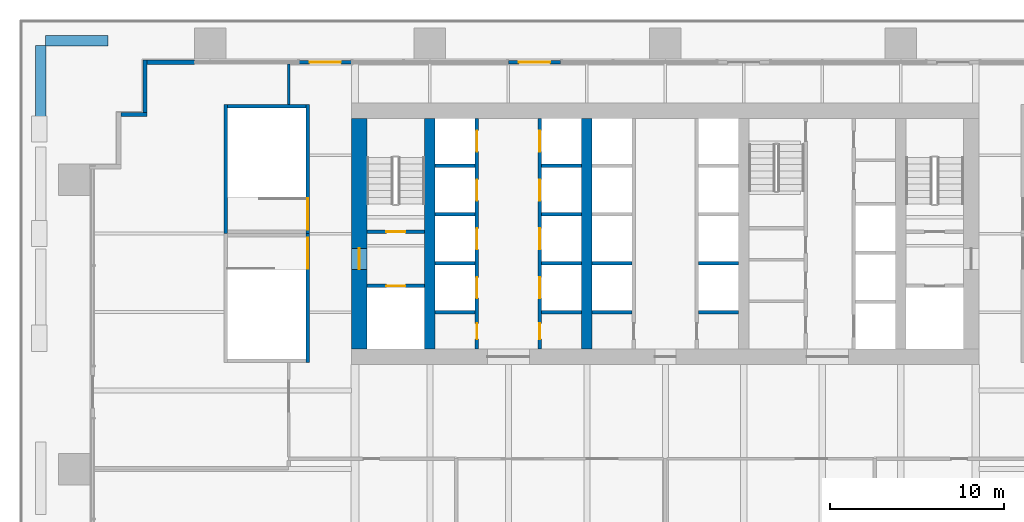
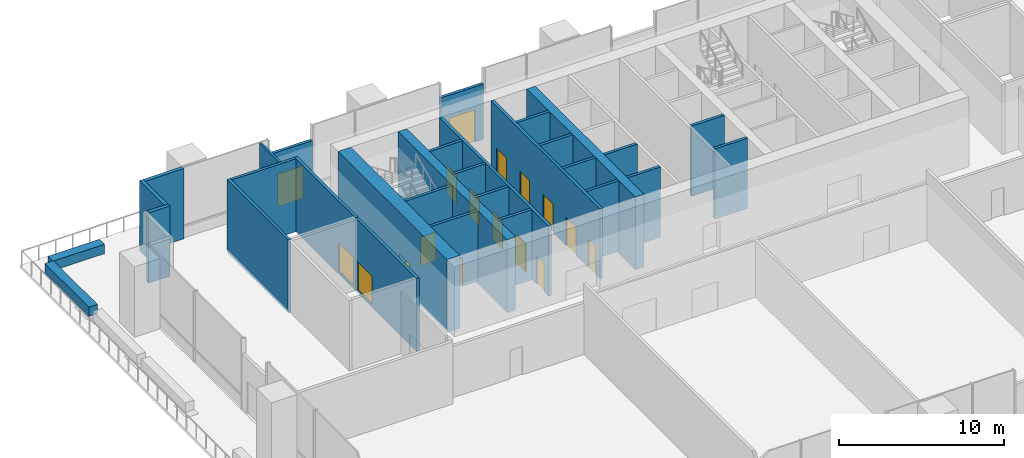
# One storey, part 9 of 16: 31 walls, 17 doors, 17 openings.
"""IFC4 building model written with IfcOpenShell, lengths in metres."""

from ifc_helpers import new_model, si_unit, direction, frame, frame_2d, origin, place, context, subcontext, project, spatial, rectangle, extrude, material, layer, layer_set, type_object, element, fill, save


model = new_model("IFC4")

# Units and contexts
model_context = context("Model", 3, precision=1e-05, world=origin(), true_north=direction((0.0, 1.0)))
body_context = subcontext(model_context, "Body", "Model", "MODEL_VIEW")
ifc_project = project(units=[si_unit("LENGTHUNIT", "METRE"), si_unit("AREAUNIT", "SQUARE_METRE"), si_unit("VOLUMEUNIT", "CUBIC_METRE"), si_unit("PLANEANGLEUNIT", "RADIAN"), si_unit("MASSUNIT", "GRAM", prefix="KILO")], contexts=[model_context])

# Site, building, storey
site_placement = place(None, origin())
site = spatial("IfcSite", under=ifc_project, at=site_placement, CompositionType="ELEMENT")
building_placement = place(site_placement, origin())
building = spatial("IfcBuilding", under=site, at=building_placement, Name="Rattan Terrace Tower", CompositionType="ELEMENT")
storey_placement = place(building_placement, frame((0.0, 0.0, 27.0)))
storey = spatial("IfcBuildingStorey", under=building, at=storey_placement, Name="L05", CompositionType="ELEMENT", Elevation=27.0)

# Wall, opening, door
ifc_material_1 = material(Name="Gypsum board partition")
ifc_layer_1 = layer(ifc_material_1, 0.199951171875)
ifc_layer_set_1 = layer_set([ifc_layer_1], Name="Core partition 200")
wall_type_1 = type_object("IfcWallType", Name="Core partition 200", PredefinedType="PARTITIONING", material=ifc_layer_set_1)
wall_1_placement = place(storey_placement, frame((-17.10009765625, -3.0, 0.0), z_axis=(0.0, 0.0, 1.0), x_axis=(1.0, 0.0, 0.0)))
wall_1 = element("IfcWall", 1, at=wall_1_placement, inside=storey, type_object=wall_type_1, Name="Fire-fighting lobby wall", PredefinedType="PARTITIONING", context=body_context, shape_type="SweptSolid", body=[
    extrude(rectangle(XDim=3.300048828125, YDim=0.199951171875, at=frame_2d((1.64990234375, 0.0))), origin(), (0.0, 0.0, 1.0), 5.199951171875),
])
opening_1_placement = place(wall_1_placement, frame((1.10009765625, 0.0, 0.0)))
opening_1 = element("IfcOpeningElement", 2, at=opening_1_placement, cuts=wall_1, Name="Opening L05-LD-FF1", PredefinedType="OPENING", context=body_context, shape_type="SweptSolid", body=[
    extrude(rectangle(XDim=1.10009765625, YDim=2.10009765625, at=frame_2d((0.550048828125, 1.050048828125))), frame((0.0, 0.110595703125, 0.0), z_axis=(0.0, -1.0, 0.0), x_axis=(1.0, 0.0, 0.0)), (0.0, 0.0, 1.0), 0.220947265625),
])
ifc_material_2 = material(Name="Brushed stainless landing door panel")
door_type_1 = type_object("IfcDoorType", Name="Core lift landing door 1100", OperationType="DOUBLE_DOOR_SLIDING", PredefinedType="DOOR", material=ifc_material_2)
door_1_placement = place(opening_1_placement, origin())
door_1 = element("IfcDoor", 3, at=door_1_placement, inside=storey, type_object=door_type_1, Name="Door L05-LD-FF1", OperationType="DOUBLE_DOOR_SLIDING", OverallHeight=2.10009765625, OverallWidth=1.10009765625, PredefinedType="DOOR", context=body_context, shape_type="SweptSolid", body=[
    extrude(rectangle(XDim=1.10009765625, YDim=2.10009765625, at=frame_2d((0.550048828125, 1.050048828125))), frame((0.0, 0.02490234375, 0.0), z_axis=(0.0, -1.0, 0.0), x_axis=(1.0, 0.0, 0.0)), (0.0, 0.0, 1.0), 0.050048828125),
])
fill(opening_1, door_1)

wall_2_placement = place(storey_placement, frame((-17.10009765625, 0.10009765625, 0.0), z_axis=(0.0, 0.0, 1.0), x_axis=(1.0, 0.0, 0.0)))
wall_2 = element("IfcWall", 4, at=wall_2_placement, inside=storey, type_object=wall_type_1, Name="Stair enclosure wall", PredefinedType="PARTITIONING", context=body_context, shape_type="SweptSolid", body=[
    extrude(rectangle(XDim=3.300048828125, YDim=0.199951171875, at=frame_2d((1.64990234375, 0.0))), origin(), (0.0, 0.0, 1.0), 5.199951171875),
])
opening_2_placement = place(wall_2_placement, frame((1.10009765625, 0.0, 0.0)))
opening_2 = element("IfcOpeningElement", 5, at=opening_2_placement, cuts=wall_2, Name="Opening L05-D002", PredefinedType="OPENING", context=body_context, shape_type="SweptSolid", body=[
    extrude(rectangle(XDim=1.10009765625, YDim=2.10009765625, at=frame_2d((0.550048828125, 1.050048828125))), frame((0.0, 0.110595703125, 0.0), z_axis=(0.0, -1.0, 0.0), x_axis=(1.0, 0.0, 0.0)), (0.0, 0.0, 1.0), 0.220947265625),
])
ifc_material_3 = material(Name="Hollow-metal fire door leaf")
door_type_2 = type_object("IfcDoorType", Name="Core stair door 1100", OperationType="NOTDEFINED", PredefinedType="DOOR", material=ifc_material_3)
door_2_placement = place(opening_2_placement, origin())
door_2 = element("IfcDoor", 6, at=door_2_placement, inside=storey, type_object=door_type_2, Name="Door L05-D002", OperationType="SINGLE_SWING_RIGHT", OverallHeight=2.10009765625, OverallWidth=1.10009765625, PredefinedType="DOOR", context=body_context, shape_type="SweptSolid", body=[
    extrude(rectangle(XDim=1.10009765625, YDim=2.10009765625, at=frame_2d((0.550048828125, 1.050048828125))), frame((0.0, 0.02490234375, 0.0), z_axis=(0.0, -1.0, 0.0), x_axis=(1.0, 0.0, 0.0)), (0.0, 0.0, 1.0), 0.050048828125),
])
fill(opening_2, door_2)

ifc_material_4 = material(Name="Concrete C70/85", Category="concrete")
ifc_layer_2 = layer(ifc_material_4, 0.89990234375)
ifc_layer_set_2 = layer_set([ifc_layer_2], Name="Core ring wall 900 C70/85")
wall_type_2 = type_object("IfcWallType", Name="Core ring wall 900 C70/85", PredefinedType="SHEAR", material=ifc_layer_set_2)
wall_3_placement = place(storey_placement, frame((-17.550048828125, -6.60009765625, -0.199951171875), z_axis=(0.0, 0.0, 1.0), x_axis=(0.0, 1.0, 0.0)))
wall_3 = element("IfcWall", 7, at=wall_3_placement, inside=storey, type_object=wall_type_2, Name="Rear core wall west", PredefinedType="SHEAR", context=body_context, shape_type="SweptSolid", body=[
    extrude(rectangle(XDim=13.2001953125, YDim=0.89990234375, at=frame_2d((6.60009765625, 0.0))), origin(), (0.0, 0.0, 1.0), 5.39990234375),
])
opening_3_placement = place(wall_3_placement, frame((4.550048828125, 0.0, 0.199951171875)))
opening_3 = element("IfcOpeningElement", 8, at=opening_3_placement, cuts=wall_3, Name="Opening L05-D001", PredefinedType="OPENING", context=body_context, shape_type="SweptSolid", body=[
    extrude(rectangle(XDim=1.199951171875, YDim=2.10009765625, at=frame_2d((0.60009765625, 1.050048828125))), frame((0.0, 0.46044921875, 0.0), z_axis=(0.0, -1.0, 0.0), x_axis=(1.0, 0.0, 0.0)), (0.0, 0.0, 1.0), 0.9208984375),
])
ifc_material_5 = material(Name="Hollow-metal fire door leaf")
door_type_3 = type_object("IfcDoorType", Name="Core fire-fighting lobby door 1200", OperationType="NOTDEFINED", PredefinedType="DOOR", material=ifc_material_5)
door_3_placement = place(opening_3_placement, origin())
door_3 = element("IfcDoor", 9, at=door_3_placement, inside=storey, type_object=door_type_3, Name="Door L05-D001", OperationType="SINGLE_SWING_LEFT", OverallHeight=2.10009765625, OverallWidth=1.199951171875, PredefinedType="DOOR", context=body_context, shape_type="SweptSolid", body=[
    extrude(rectangle(XDim=1.199951171875, YDim=2.10009765625, at=frame_2d((0.60009765625, 1.050048828125))), frame((0.0, 0.02490234375, 0.0), z_axis=(0.0, -1.0, 0.0), x_axis=(1.0, 0.0, 0.0)), (0.0, 0.0, 1.0), 0.050048828125),
])
fill(opening_3, door_3)

# Walls
ifc_material_6 = material(Name="Concrete C70/85", Category="concrete")
ifc_layer_3 = layer(ifc_material_6, 0.60009765625)
ifc_layer_set_3 = layer_set([ifc_layer_3], Name="Core spine wall 600 C70/85")
wall_type_3 = type_object("IfcWallType", Name="Core spine wall 600 C70/85", PredefinedType="SHEAR", material=ifc_layer_set_3)
for number, where, z_axis, x_axis, name in (
    (10, (-13.5, -6.60009765625, -0.199951171875), (0.0, 0.0, 1.0), (0.0, 1.0, 0.0), "Core spine wall 1"),
    (11, (-4.5, -6.60009765625, -0.199951171875), (0.0, 0.0, 1.0), (0.0, 1.0, 0.0), "Core spine wall 2"),
):
    element("IfcWall", number, at=place(storey_placement, frame(where, z_axis=z_axis, x_axis=x_axis)), inside=storey, type_object=wall_type_3, Name=name, PredefinedType="SHEAR", context=body_context, shape_type="SweptSolid", body=[
        extrude(rectangle(XDim=13.2001953125, YDim=0.60009765625, at=frame_2d((6.60009765625, 0.0))), origin(), (0.0, 0.0, 1.0), 5.39990234375),
    ])

# Wall, opening, door
ifc_material_7 = material(Name="Insulated aluminium-clad stud wall", Category="aluminium")
ifc_layer_4 = layer(ifc_material_7, 0.199951171875)
ifc_layer_set_4 = layer_set([ifc_layer_4], Name="Facade Door Wall 200")
wall_type_4 = type_object("IfcWallType", Name="Facade Door Wall 200", PredefinedType="SOLIDWALL", material=ifc_layer_set_4)
wall_4_placement = place(storey_placement, frame((-6.0, 9.830078125, 0.0), z_axis=(0.0, 0.0, 1.0), x_axis=(-1.0, 0.0, 0.0)))
wall_4 = element("IfcWall", 12, at=wall_4_placement, inside=storey, type_object=wall_type_4, Name="Terrace door wall L05-15", PredefinedType="SOLIDWALL", context=body_context, shape_type="SweptSolid", body=[
    extrude(rectangle(XDim=3.0, YDim=0.199951171875, at=frame_2d((1.5, 0.0))), origin(), (0.0, 0.0, 1.0), 4.10009765625),
])
opening_4_placement = place(wall_4_placement, frame((0.60009765625, 0.0, 0.0)))
opening_4 = element("IfcOpeningElement", 13, at=opening_4_placement, cuts=wall_4, Name="Opening L05-D705", PredefinedType="OPENING", context=body_context, shape_type="SweptSolid", body=[
    extrude(rectangle(XDim=1.800048828125, YDim=2.39990234375, at=frame_2d((0.89990234375, 1.199951171875))), frame((0.0, 0.110595703125, 0.0), z_axis=(0.0, -1.0, 0.0), x_axis=(1.0, 0.0, 0.0)), (0.0, 0.0, 1.0), 0.220947265625),
])
ifc_material_8 = material(Name="Aluminium and clear glass", Category="aluminium")
door_type_4 = type_object("IfcDoorType", Name="Facade Terrace Door 1800", OperationType="DOUBLE_DOOR_SINGLE_SWING", PredefinedType="DOOR", material=ifc_material_8)
door_4_placement = place(opening_4_placement, origin())
door_4 = element("IfcDoor", 14, at=door_4_placement, inside=storey, type_object=door_type_4, Name="Terrace door L05-D705", OperationType="DOUBLE_DOOR_SINGLE_SWING", OverallHeight=2.39990234375, OverallWidth=1.800048828125, PredefinedType="DOOR", context=body_context, shape_type="SweptSolid", body=[
    extrude(rectangle(XDim=1.800048828125, YDim=2.39990234375, at=frame_2d((0.89990234375, 1.199951171875))), frame((0.0, 0.02490234375, 0.0), z_axis=(0.0, -1.0, 0.0), x_axis=(1.0, 0.0, 0.0)), (0.0, 0.0, 1.0), 0.050048828125),
])
fill(opening_4, door_4)

wall_5_placement = place(storey_placement, frame((-18.0, 9.830078125, 0.0), z_axis=(0.0, 0.0, 1.0), x_axis=(-1.0, 0.0, 0.0)))
wall_5 = element("IfcWall", 15, at=wall_5_placement, inside=storey, type_object=wall_type_4, Name="Terrace door wall L05-16", PredefinedType="SOLIDWALL", context=body_context, shape_type="SweptSolid", body=[
    extrude(rectangle(XDim=3.0, YDim=0.199951171875, at=frame_2d((1.5, 0.0))), origin(), (0.0, 0.0, 1.0), 4.10009765625),
])
opening_5_placement = place(wall_5_placement, frame((0.60009765625, 0.0, 0.0)))
opening_5 = element("IfcOpeningElement", 16, at=opening_5_placement, cuts=wall_5, Name="Opening L05-D706", PredefinedType="OPENING", context=body_context, shape_type="SweptSolid", body=[
    extrude(rectangle(XDim=1.800048828125, YDim=2.39990234375, at=frame_2d((0.89990234375, 1.199951171875))), frame((0.0, 0.110595703125, 0.0), z_axis=(0.0, -1.0, 0.0), x_axis=(1.0, 0.0, 0.0)), (0.0, 0.0, 1.0), 0.220947265625),
])
door_5_placement = place(opening_5_placement, origin())
door_5 = element("IfcDoor", 17, at=door_5_placement, inside=storey, type_object=door_type_4, Name="Terrace door L05-D706", OperationType="DOUBLE_DOOR_SINGLE_SWING", OverallHeight=2.39990234375, OverallWidth=1.800048828125, PredefinedType="DOOR", context=body_context, shape_type="SweptSolid", body=[
    extrude(rectangle(XDim=1.800048828125, YDim=2.39990234375, at=frame_2d((0.89990234375, 1.199951171875))), frame((0.0, 0.02490234375, 0.0), z_axis=(0.0, -1.0, 0.0), x_axis=(1.0, 0.0, 0.0)), (0.0, 0.0, 1.0), 0.050048828125),
])
fill(opening_5, door_5)

# Walls
ifc_material_9 = material(Name="Precast concrete C30/37", Category="concrete")
ifc_layer_5 = layer(ifc_material_9, 0.60009765625)
ifc_layer_set_5 = layer_set([ifc_layer_5], Name="Facade Planter Wall 600")
wall_type_5 = type_object("IfcWallType", Name="Facade Planter Wall 600", PredefinedType="SOLIDWALL", material=ifc_layer_set_5)
wall_6_placement = place(storey_placement, frame((-35.800048828125, 5.45703125, 0.0), z_axis=(0.0, 0.0, 1.0), x_axis=(0.0, 1.0, 0.0)))
element("IfcWall", 18, at=wall_6_placement, inside=storey, type_object=wall_type_5, Name="PLANTER bed L05-10", PredefinedType="SOLIDWALL", context=body_context, shape_type="SweptSolid", body=[
    extrude(rectangle(XDim=5.343017578125, YDim=0.60009765625, at=frame_2d((2.67138671875, 0.0))), origin(), (0.0, 0.0, 1.0), 0.699951171875),
])
wall_7_placement = place(storey_placement, frame((-35.550048828125, 11.050048828125, 0.0), z_axis=(0.0, 0.0, 1.0), x_axis=(1.0, 0.0, 0.0)))
element("IfcWall", 19, at=wall_7_placement, inside=storey, type_object=wall_type_5, Name="PLANTER bed L05-11", PredefinedType="SOLIDWALL", context=body_context, shape_type="SweptSolid", body=[
    extrude(rectangle(XDim=3.60009765625, YDim=0.60009765625, at=frame_2d((1.800048828125, 0.0))), origin(), (0.0, 0.0, 1.0), 0.699951171875),
])
ifc_material_10 = material(Name="Insulated aluminium-clad stud wall", Category="aluminium")
ifc_layer_6 = layer(ifc_material_10, 0.25)
ifc_layer_set_6 = layer_set([ifc_layer_6], Name="Facade Riser Wall 250")
wall_type_6 = type_object("IfcWallType", Name="Facade Riser Wall 250", PredefinedType="SOLIDWALL", material=ifc_layer_set_6)
wall_8_placement = place(storey_placement, frame((-27.0, 9.830078125, 0.0), z_axis=(0.0, 0.0, 1.0), x_axis=(-1.0, 0.0, 0.0)))
element("IfcWall", 20, at=wall_8_placement, inside=storey, type_object=wall_type_6, Name="Riser wall L05-17", PredefinedType="SOLIDWALL", context=body_context, shape_type="SweptSolid", body=[
    extrude(rectangle(XDim=2.705078125, YDim=0.25, at=frame_2d((1.3525390625, 0.0))), origin(), (0.0, 0.0, 1.0), 5.199951171875),
])
wall_9_placement = place(storey_placement, frame((-29.830078125, 9.955078125, 0.0), z_axis=(0.0, 0.0, 1.0), x_axis=(0.0, -1.0, 0.0)))
element("IfcWall", 21, at=wall_9_placement, inside=storey, type_object=wall_type_6, Name="Riser wall L05-18", PredefinedType="SOLIDWALL", context=body_context, shape_type="SweptSolid", body=[
    extrude(rectangle(XDim=3.0, YDim=0.25, at=frame_2d((1.5, 0.0))), origin(), (0.0, 0.0, 1.0), 5.199951171875),
])
wall_10_placement = place(storey_placement, frame((-29.705078125, 6.830078125, 0.0), z_axis=(0.0, 0.0, 1.0), x_axis=(-1.0, 0.0, 0.0)))
element("IfcWall", 22, at=wall_10_placement, inside=storey, type_object=wall_type_6, Name="Riser wall L05-19", PredefinedType="SOLIDWALL", context=body_context, shape_type="SweptSolid", body=[
    extrude(rectangle(XDim=1.5, YDim=0.25, at=frame_2d((0.75, 0.0))), origin(), (0.0, 0.0, 1.0), 5.199951171875),
])
ifc_material_11 = material(Name="Gypsum board partition on steel studs, fire rated", Category="steel")
ifc_layer_7 = layer(ifc_material_11, 0.14990234375)
ifc_layer_set_7 = layer_set([ifc_layer_7], Name="Floors Tenancy Wall 150")
wall_type_7 = type_object("IfcWallType", Name="Floors Tenancy Wall 150", PredefinedType="PARTITIONING", material=ifc_layer_set_7)
wall_11_placement = place(storey_placement, frame((-21.60009765625, 7.39990234375, 0.0), z_axis=(0.0, 0.0, 1.0), x_axis=(0.0, 1.0, 0.0)))
element("IfcWall", 23, at=wall_11_placement, inside=storey, type_object=wall_type_7, Name="pt-L05-002", PredefinedType="PARTITIONING", context=body_context, shape_type="SweptSolid", body=[
    extrude(rectangle(XDim=2.340087890625, YDim=0.14990234375, at=frame_2d((1.169921875, 0.0))), origin(), (0.0, 0.0, 1.0), 5.199951171875),
])

# Wall, openings, doors
ifc_material_12 = material(Name="Gypsum shaft wall system")
ifc_layer_8 = layer(ifc_material_12, 0.199951171875)
ifc_layer_set_8 = layer_set([ifc_layer_8], Name="Lift shaft wall 200")
wall_type_8 = type_object("IfcWallType", Name="Lift shaft wall 200", PredefinedType="PARTITIONING", material=ifc_layer_set_8)
wall_12_placement = place(storey_placement, frame((-10.800048828125, -6.60009765625, 0.0), z_axis=(0.0, 0.0, 1.0), x_axis=(0.0, 1.0, 0.0)))
wall_12 = element("IfcWall", 24, at=wall_12_placement, inside=storey, type_object=wall_type_8, Name="Lift shaft front wall", PredefinedType="PARTITIONING", context=body_context, shape_type="SweptSolid", body=[
    extrude(rectangle(XDim=13.2001953125, YDim=0.199951171875, at=frame_2d((6.60009765625, 0.0))), origin(), (0.0, 0.0, 1.0), 5.199951171875),
])
opening_6_placement = place(wall_12_placement, frame((0.550048828125, 0.0, 0.0)))
opening_6 = element("IfcOpeningElement", 25, at=opening_6_placement, cuts=wall_12, Name="Opening L05-D005", PredefinedType="OPENING", context=body_context, shape_type="SweptSolid", body=[
    extrude(rectangle(XDim=0.89990234375, YDim=2.10009765625, at=frame_2d((0.449951171875, 1.050048828125))), frame((0.0, 0.110595703125, 0.0), z_axis=(0.0, -1.0, 0.0), x_axis=(1.0, 0.0, 0.0)), (0.0, 0.0, 1.0), 0.220947265625),
])
opening_7_placement = place(wall_12_placement, frame((2.89990234375, 0.0, 0.0)))
opening_7 = element("IfcOpeningElement", 26, at=opening_7_placement, cuts=wall_12, Name="Opening L05-LD-LR1", PredefinedType="OPENING", context=body_context, shape_type="SweptSolid", body=[
    extrude(rectangle(XDim=1.199951171875, YDim=2.10009765625, at=frame_2d((0.60009765625, 1.050048828125))), frame((0.0, 0.110595703125, 0.0), z_axis=(0.0, -1.0, 0.0), x_axis=(1.0, 0.0, 0.0)), (0.0, 0.0, 1.0), 0.220947265625),
])
opening_8_placement = place(wall_12_placement, frame((5.699951171875, 0.0, 0.0)))
opening_8 = element("IfcOpeningElement", 27, at=opening_8_placement, cuts=wall_12, Name="Opening L05-LD-LR2", PredefinedType="OPENING", context=body_context, shape_type="SweptSolid", body=[
    extrude(rectangle(XDim=1.199951171875, YDim=2.10009765625, at=frame_2d((0.60009765625, 1.050048828125))), frame((0.0, 0.110595703125, 0.0), z_axis=(0.0, -1.0, 0.0), x_axis=(1.0, 0.0, 0.0)), (0.0, 0.0, 1.0), 0.220947265625),
])
opening_9_placement = place(wall_12_placement, frame((8.5, 0.0, 0.0)))
opening_9 = element("IfcOpeningElement", 28, at=opening_9_placement, cuts=wall_12, Name="Opening L05-LD-LR3", PredefinedType="OPENING", context=body_context, shape_type="SweptSolid", body=[
    extrude(rectangle(XDim=1.199951171875, YDim=2.10009765625, at=frame_2d((0.60009765625, 1.050048828125))), frame((0.0, 0.110595703125, 0.0), z_axis=(0.0, -1.0, 0.0), x_axis=(1.0, 0.0, 0.0)), (0.0, 0.0, 1.0), 0.220947265625),
])
opening_10_placement = place(wall_12_placement, frame((11.300048828125, 0.0, 0.0)))
opening_10 = element("IfcOpeningElement", 29, at=opening_10_placement, cuts=wall_12, Name="Opening L05-LD-LR4", PredefinedType="OPENING", context=body_context, shape_type="SweptSolid", body=[
    extrude(rectangle(XDim=1.199951171875, YDim=2.10009765625, at=frame_2d((0.60009765625, 1.050048828125))), frame((0.0, 0.110595703125, 0.0), z_axis=(0.0, -1.0, 0.0), x_axis=(1.0, 0.0, 0.0)), (0.0, 0.0, 1.0), 0.220947265625),
])
ifc_material_13 = material(Name="Brushed stainless landing door panel")
door_type_5 = type_object("IfcDoorType", Name="Core lift landing door 1200", OperationType="DOUBLE_DOOR_SLIDING", PredefinedType="DOOR", material=ifc_material_13)
door_6_placement = place(opening_7_placement, origin())
door_6 = element("IfcDoor", 30, at=door_6_placement, inside=storey, type_object=door_type_5, Name="Door L05-LD-LR1", OperationType="DOUBLE_DOOR_SLIDING", OverallHeight=2.10009765625, OverallWidth=1.199951171875, PredefinedType="DOOR", context=body_context, shape_type="SweptSolid", body=[
    extrude(rectangle(XDim=1.199951171875, YDim=2.10009765625, at=frame_2d((0.60009765625, 1.050048828125))), frame((0.0, 0.02490234375, 0.0), z_axis=(0.0, -1.0, 0.0), x_axis=(1.0, 0.0, 0.0)), (0.0, 0.0, 1.0), 0.050048828125),
])
fill(opening_7, door_6)
door_7_placement = place(opening_8_placement, origin())
door_7 = element("IfcDoor", 31, at=door_7_placement, inside=storey, type_object=door_type_5, Name="Door L05-LD-LR2", OperationType="DOUBLE_DOOR_SLIDING", OverallHeight=2.10009765625, OverallWidth=1.199951171875, PredefinedType="DOOR", context=body_context, shape_type="SweptSolid", body=[
    extrude(rectangle(XDim=1.199951171875, YDim=2.10009765625, at=frame_2d((0.60009765625, 1.050048828125))), frame((0.0, 0.02490234375, 0.0), z_axis=(0.0, -1.0, 0.0), x_axis=(1.0, 0.0, 0.0)), (0.0, 0.0, 1.0), 0.050048828125),
])
fill(opening_8, door_7)
door_8_placement = place(opening_9_placement, origin())
door_8 = element("IfcDoor", 32, at=door_8_placement, inside=storey, type_object=door_type_5, Name="Door L05-LD-LR3", OperationType="DOUBLE_DOOR_SLIDING", OverallHeight=2.10009765625, OverallWidth=1.199951171875, PredefinedType="DOOR", context=body_context, shape_type="SweptSolid", body=[
    extrude(rectangle(XDim=1.199951171875, YDim=2.10009765625, at=frame_2d((0.60009765625, 1.050048828125))), frame((0.0, 0.02490234375, 0.0), z_axis=(0.0, -1.0, 0.0), x_axis=(1.0, 0.0, 0.0)), (0.0, 0.0, 1.0), 0.050048828125),
])
fill(opening_9, door_8)
door_9_placement = place(opening_10_placement, origin())
door_9 = element("IfcDoor", 33, at=door_9_placement, inside=storey, type_object=door_type_5, Name="Door L05-LD-LR4", OperationType="DOUBLE_DOOR_SLIDING", OverallHeight=2.10009765625, OverallWidth=1.199951171875, PredefinedType="DOOR", context=body_context, shape_type="SweptSolid", body=[
    extrude(rectangle(XDim=1.199951171875, YDim=2.10009765625, at=frame_2d((0.60009765625, 1.050048828125))), frame((0.0, 0.02490234375, 0.0), z_axis=(0.0, -1.0, 0.0), x_axis=(1.0, 0.0, 0.0)), (0.0, 0.0, 1.0), 0.050048828125),
])
fill(opening_10, door_9)
ifc_material_14 = material(Name="Hollow-metal fire door leaf")
door_type_6 = type_object("IfcDoorType", Name="Core riser door 900", OperationType="NOTDEFINED", PredefinedType="DOOR", material=ifc_material_14)
door_10_placement = place(opening_6_placement, origin())
door_10 = element("IfcDoor", 34, at=door_10_placement, inside=storey, type_object=door_type_6, Name="Door L05-D005", OperationType="SINGLE_SWING_LEFT", OverallHeight=2.10009765625, OverallWidth=0.89990234375, PredefinedType="DOOR", context=body_context, shape_type="SweptSolid", body=[
    extrude(rectangle(XDim=0.89990234375, YDim=2.10009765625, at=frame_2d((0.449951171875, 1.050048828125))), frame((0.0, 0.02490234375, 0.0), z_axis=(0.0, -1.0, 0.0), x_axis=(1.0, 0.0, 0.0)), (0.0, 0.0, 1.0), 0.050048828125),
])
fill(opening_6, door_10)

wall_13_placement = place(storey_placement, frame((-7.199951171875, -6.60009765625, 0.0), z_axis=(0.0, 0.0, 1.0), x_axis=(0.0, 1.0, 0.0)))
wall_13 = element("IfcWall", 35, at=wall_13_placement, inside=storey, type_object=wall_type_8, Name="Lift shaft front wall", PredefinedType="PARTITIONING", context=body_context, shape_type="SweptSolid", body=[
    extrude(rectangle(XDim=13.2001953125, YDim=0.199951171875, at=frame_2d((6.60009765625, 0.0))), origin(), (0.0, 0.0, 1.0), 5.199951171875),
])
opening_11_placement = place(wall_13_placement, frame((0.550048828125, 0.0, 0.0)))
opening_11 = element("IfcOpeningElement", 36, at=opening_11_placement, cuts=wall_13, Name="Opening L05-D006", PredefinedType="OPENING", context=body_context, shape_type="SweptSolid", body=[
    extrude(rectangle(XDim=0.89990234375, YDim=2.10009765625, at=frame_2d((0.449951171875, 1.050048828125))), frame((0.0, 0.110595703125, 0.0), z_axis=(0.0, -1.0, 0.0), x_axis=(1.0, 0.0, 0.0)), (0.0, 0.0, 1.0), 0.220947265625),
])
opening_12_placement = place(wall_13_placement, frame((2.89990234375, 0.0, 0.0)))
opening_12 = element("IfcOpeningElement", 37, at=opening_12_placement, cuts=wall_13, Name="Opening L05-LD-LR5", PredefinedType="OPENING", context=body_context, shape_type="SweptSolid", body=[
    extrude(rectangle(XDim=1.199951171875, YDim=2.10009765625, at=frame_2d((0.60009765625, 1.050048828125))), frame((0.0, 0.110595703125, 0.0), z_axis=(0.0, -1.0, 0.0), x_axis=(1.0, 0.0, 0.0)), (0.0, 0.0, 1.0), 0.220947265625),
])
opening_13_placement = place(wall_13_placement, frame((5.699951171875, 0.0, 0.0)))
opening_13 = element("IfcOpeningElement", 38, at=opening_13_placement, cuts=wall_13, Name="Opening L05-LD-LR6", PredefinedType="OPENING", context=body_context, shape_type="SweptSolid", body=[
    extrude(rectangle(XDim=1.199951171875, YDim=2.10009765625, at=frame_2d((0.60009765625, 1.050048828125))), frame((0.0, 0.110595703125, 0.0), z_axis=(0.0, -1.0, 0.0), x_axis=(1.0, 0.0, 0.0)), (0.0, 0.0, 1.0), 0.220947265625),
])
opening_14_placement = place(wall_13_placement, frame((8.5, 0.0, 0.0)))
opening_14 = element("IfcOpeningElement", 39, at=opening_14_placement, cuts=wall_13, Name="Opening L05-LD-LR7", PredefinedType="OPENING", context=body_context, shape_type="SweptSolid", body=[
    extrude(rectangle(XDim=1.199951171875, YDim=2.10009765625, at=frame_2d((0.60009765625, 1.050048828125))), frame((0.0, 0.110595703125, 0.0), z_axis=(0.0, -1.0, 0.0), x_axis=(1.0, 0.0, 0.0)), (0.0, 0.0, 1.0), 0.220947265625),
])
opening_15_placement = place(wall_13_placement, frame((11.300048828125, 0.0, 0.0)))
opening_15 = element("IfcOpeningElement", 40, at=opening_15_placement, cuts=wall_13, Name="Opening L05-LD-LR8", PredefinedType="OPENING", context=body_context, shape_type="SweptSolid", body=[
    extrude(rectangle(XDim=1.199951171875, YDim=2.10009765625, at=frame_2d((0.60009765625, 1.050048828125))), frame((0.0, 0.110595703125, 0.0), z_axis=(0.0, -1.0, 0.0), x_axis=(1.0, 0.0, 0.0)), (0.0, 0.0, 1.0), 0.220947265625),
])
door_11_placement = place(opening_12_placement, origin())
door_11 = element("IfcDoor", 41, at=door_11_placement, inside=storey, type_object=door_type_5, Name="Door L05-LD-LR5", OperationType="DOUBLE_DOOR_SLIDING", OverallHeight=2.10009765625, OverallWidth=1.199951171875, PredefinedType="DOOR", context=body_context, shape_type="SweptSolid", body=[
    extrude(rectangle(XDim=1.199951171875, YDim=2.10009765625, at=frame_2d((0.60009765625, 1.050048828125))), frame((0.0, 0.02490234375, 0.0), z_axis=(0.0, -1.0, 0.0), x_axis=(1.0, 0.0, 0.0)), (0.0, 0.0, 1.0), 0.050048828125),
])
fill(opening_12, door_11)
door_12_placement = place(opening_13_placement, origin())
door_12 = element("IfcDoor", 42, at=door_12_placement, inside=storey, type_object=door_type_5, Name="Door L05-LD-LR6", OperationType="DOUBLE_DOOR_SLIDING", OverallHeight=2.10009765625, OverallWidth=1.199951171875, PredefinedType="DOOR", context=body_context, shape_type="SweptSolid", body=[
    extrude(rectangle(XDim=1.199951171875, YDim=2.10009765625, at=frame_2d((0.60009765625, 1.050048828125))), frame((0.0, 0.02490234375, 0.0), z_axis=(0.0, -1.0, 0.0), x_axis=(1.0, 0.0, 0.0)), (0.0, 0.0, 1.0), 0.050048828125),
])
fill(opening_13, door_12)
door_13_placement = place(opening_14_placement, origin())
door_13 = element("IfcDoor", 43, at=door_13_placement, inside=storey, type_object=door_type_5, Name="Door L05-LD-LR7", OperationType="DOUBLE_DOOR_SLIDING", OverallHeight=2.10009765625, OverallWidth=1.199951171875, PredefinedType="DOOR", context=body_context, shape_type="SweptSolid", body=[
    extrude(rectangle(XDim=1.199951171875, YDim=2.10009765625, at=frame_2d((0.60009765625, 1.050048828125))), frame((0.0, 0.02490234375, 0.0), z_axis=(0.0, -1.0, 0.0), x_axis=(1.0, 0.0, 0.0)), (0.0, 0.0, 1.0), 0.050048828125),
])
fill(opening_14, door_13)
door_14_placement = place(opening_15_placement, origin())
door_14 = element("IfcDoor", 44, at=door_14_placement, inside=storey, type_object=door_type_5, Name="Door L05-LD-LR8", OperationType="DOUBLE_DOOR_SLIDING", OverallHeight=2.10009765625, OverallWidth=1.199951171875, PredefinedType="DOOR", context=body_context, shape_type="SweptSolid", body=[
    extrude(rectangle(XDim=1.199951171875, YDim=2.10009765625, at=frame_2d((0.60009765625, 1.050048828125))), frame((0.0, 0.02490234375, 0.0), z_axis=(0.0, -1.0, 0.0), x_axis=(1.0, 0.0, 0.0)), (0.0, 0.0, 1.0), 0.050048828125),
])
fill(opening_15, door_14)
door_15_placement = place(opening_11_placement, origin())
door_15 = element("IfcDoor", 45, at=door_15_placement, inside=storey, type_object=door_type_6, Name="Door L05-D006", OperationType="SINGLE_SWING_RIGHT", OverallHeight=2.10009765625, OverallWidth=0.89990234375, PredefinedType="DOOR", context=body_context, shape_type="SweptSolid", body=[
    extrude(rectangle(XDim=0.89990234375, YDim=2.10009765625, at=frame_2d((0.449951171875, 1.050048828125))), frame((0.0, 0.02490234375, 0.0), z_axis=(0.0, -1.0, 0.0), x_axis=(1.0, 0.0, 0.0)), (0.0, 0.0, 1.0), 0.050048828125),
])
fill(opening_11, door_15)

# Walls
for number, where, z_axis, x_axis, name in (
    (46, (-13.199951171875, -1.699951171875, 0.0), (0.0, 0.0, 1.0), (1.0, 0.0, 0.0), "Lift shaft wall"),
    (47, (-13.199951171875, 1.10009765625, 0.0), (0.0, 0.0, 1.0), (1.0, 0.0, 0.0), "Lift shaft wall"),
    (48, (-13.199951171875, 3.89990234375, 0.0), (0.0, 0.0, 1.0), (1.0, 0.0, 0.0), "Lift shaft wall"),
    (49, (-13.199951171875, -4.5, 0.0), (0.0, 0.0, 1.0), (1.0, 0.0, 0.0), "Lift shaft wall"),
    (50, (-7.10009765625, -1.699951171875, 0.0), (0.0, 0.0, 1.0), (1.0, 0.0, 0.0), "Lift shaft wall"),
    (51, (-7.10009765625, 1.10009765625, 0.0), (0.0, 0.0, 1.0), (1.0, 0.0, 0.0), "Lift shaft wall"),
    (52, (-7.10009765625, 3.89990234375, 0.0), (0.0, 0.0, 1.0), (1.0, 0.0, 0.0), "Lift shaft wall"),
    (53, (-7.10009765625, -4.5, 0.0), (0.0, 0.0, 1.0), (1.0, 0.0, 0.0), "Lift shaft wall"),
    (54, (-4.199951171875, -1.699951171875, 0.0), (0.0, 0.0, 1.0), (1.0, 0.0, 0.0), "Lift shaft wall"),
    (55, (-4.199951171875, -4.5, 0.0), (0.0, 0.0, 1.0), (1.0, 0.0, 0.0), "Lift shaft wall"),
    (56, (1.89990234375, -1.699951171875, 0.0), (0.0, 0.0, 1.0), (1.0, 0.0, 0.0), "Lift shaft wall"),
    (57, (1.89990234375, -4.5, 0.0), (0.0, 0.0, 1.0), (1.0, 0.0, 0.0), "Lift shaft wall"),
):
    element("IfcWall", number, at=place(storey_placement, frame(where, z_axis=z_axis, x_axis=x_axis)), inside=storey, type_object=wall_type_8, Name=name, PredefinedType="PARTITIONING", context=body_context, shape_type="SweptSolid", body=[
        extrude(rectangle(XDim=2.300048828125, YDim=0.199951171875, at=frame_2d((1.14990234375, 0.0))), origin(), (0.0, 0.0, 1.0), 5.199951171875),
    ])

# Wall, opening, door
ifc_material_15 = material(Name="Concrete C40/50", Category="concrete")
ifc_layer_9 = layer(ifc_material_15, 0.199951171875)
ifc_layer_set_9 = layer_set([ifc_layer_9], Name="Podium exit stair shaft wall 200")
wall_type_9 = type_object("IfcWallType", Name="Podium exit stair shaft wall 200", PredefinedType="SHEAR", material=ifc_layer_set_9)
wall_14_placement = place(storey_placement, frame((-20.5, 0.0, -0.199951171875), z_axis=(0.0, 0.0, 1.0), x_axis=(0.0, -1.0, 0.0)))
wall_14 = element("IfcWall", 58, at=wall_14_placement, inside=storey, type_object=wall_type_9, Name="L05 stair S4 shaft wall", PredefinedType="SHEAR", context=body_context, shape_type="SweptSolid", body=[
    extrude(rectangle(XDim=7.39990234375, YDim=0.199951171875, at=frame_2d((3.699951171875, 0.0))), origin(), (0.0, 0.0, 1.0), 5.39990234375),
])
opening_16_placement = place(wall_14_placement, frame((0.22509765625, 0.0, 0.199951171875)))
opening_16 = element("IfcOpeningElement", 59, at=opening_16_placement, cuts=wall_14, Name="Opening L05-D901", PredefinedType="OPENING", context=body_context, shape_type="SweptSolid", body=[
    extrude(rectangle(XDim=1.800048828125, YDim=2.10009765625, at=frame_2d((0.89990234375, 1.050048828125))), frame((0.0, 0.110595703125, 0.0), z_axis=(0.0, -1.0, 0.0), x_axis=(1.0, 0.0, 0.0)), (0.0, 0.0, 1.0), 0.220947265625),
])
ifc_material_16 = material(Name="Hollow-metal fire door leaf")
door_type_7 = type_object("IfcDoorType", Name="Podium exit stair door pair 1800", OperationType="DOUBLE_DOOR_SINGLE_SWING", PredefinedType="DOOR", material=ifc_material_16)
door_16_placement = place(opening_16_placement, origin())
door_16 = element("IfcDoor", 60, at=door_16_placement, inside=storey, type_object=door_type_7, Name="Door L05-D901", OperationType="DOUBLE_DOOR_SINGLE_SWING", OverallHeight=2.10009765625, OverallWidth=1.800048828125, PredefinedType="DOOR", context=body_context, shape_type="SweptSolid", body=[
    extrude(rectangle(XDim=1.800048828125, YDim=2.10009765625, at=frame_2d((0.89990234375, 1.050048828125))), frame((0.0, 0.02490234375, 0.0), z_axis=(0.0, -1.0, 0.0), x_axis=(1.0, 0.0, 0.0)), (0.0, 0.0, 1.0), 0.050048828125),
])
fill(opening_16, door_16)

wall_15_placement = place(storey_placement, frame((-20.5, 7.39990234375, -0.199951171875), z_axis=(0.0, 0.0, 1.0), x_axis=(0.0, -1.0, 0.0)))
wall_15 = element("IfcWall", 61, at=wall_15_placement, inside=storey, type_object=wall_type_9, Name="L05 stair S5 shaft wall", PredefinedType="SHEAR", context=body_context, shape_type="SweptSolid", body=[
    extrude(rectangle(XDim=7.39990234375, YDim=0.199951171875, at=frame_2d((3.699951171875, 0.0))), origin(), (0.0, 0.0, 1.0), 5.39990234375),
])
opening_17_placement = place(wall_15_placement, frame((5.375, 0.0, 0.199951171875)))
opening_17 = element("IfcOpeningElement", 62, at=opening_17_placement, cuts=wall_15, Name="Opening L05-D902", PredefinedType="OPENING", context=body_context, shape_type="SweptSolid", body=[
    extrude(rectangle(XDim=1.800048828125, YDim=2.10009765625, at=frame_2d((0.89990234375, 1.050048828125))), frame((0.0, 0.110595703125, 0.0), z_axis=(0.0, -1.0, 0.0), x_axis=(1.0, 0.0, 0.0)), (0.0, 0.0, 1.0), 0.220947265625),
])
door_17_placement = place(opening_17_placement, origin())
door_17 = element("IfcDoor", 63, at=door_17_placement, inside=storey, type_object=door_type_7, Name="Door L05-D902", OperationType="DOUBLE_DOOR_SINGLE_SWING", OverallHeight=2.10009765625, OverallWidth=1.800048828125, PredefinedType="DOOR", context=body_context, shape_type="SweptSolid", body=[
    extrude(rectangle(XDim=1.800048828125, YDim=2.10009765625, at=frame_2d((0.89990234375, 1.050048828125))), frame((0.0, 0.02490234375, 0.0), z_axis=(0.0, -1.0, 0.0), x_axis=(1.0, 0.0, 0.0)), (0.0, 0.0, 1.0), 0.050048828125),
])
fill(opening_17, door_17)

# Walls
wall_16_placement = place(storey_placement, frame((-25.199951171875, 0.0, -0.199951171875), z_axis=(0.0, 0.0, 1.0), x_axis=(0.0, 1.0, 0.0)))
element("IfcWall", 64, at=wall_16_placement, inside=storey, type_object=wall_type_9, Name="L05 stair S5 shaft wall", PredefinedType="SHEAR", context=body_context, shape_type="SweptSolid", body=[
    extrude(rectangle(XDim=7.39990234375, YDim=0.199951171875, at=frame_2d((3.699951171875, 0.0))), origin(), (0.0, 0.0, 1.0), 5.39990234375),
])
wall_17_placement = place(storey_placement, frame((-25.10009765625, 7.300048828125, -0.199951171875), z_axis=(0.0, 0.0, 1.0), x_axis=(1.0, 0.0, 0.0)))
element("IfcWall", 65, at=wall_17_placement, inside=storey, type_object=wall_type_9, Name="L05 stair S5 shaft wall", PredefinedType="SHEAR", context=body_context, shape_type="SweptSolid", body=[
    extrude(rectangle(XDim=4.5, YDim=0.199951171875, at=frame_2d((2.25, 0.0))), origin(), (0.0, 0.0, 1.0), 5.39990234375),
])

save(model, "model.ifc")
